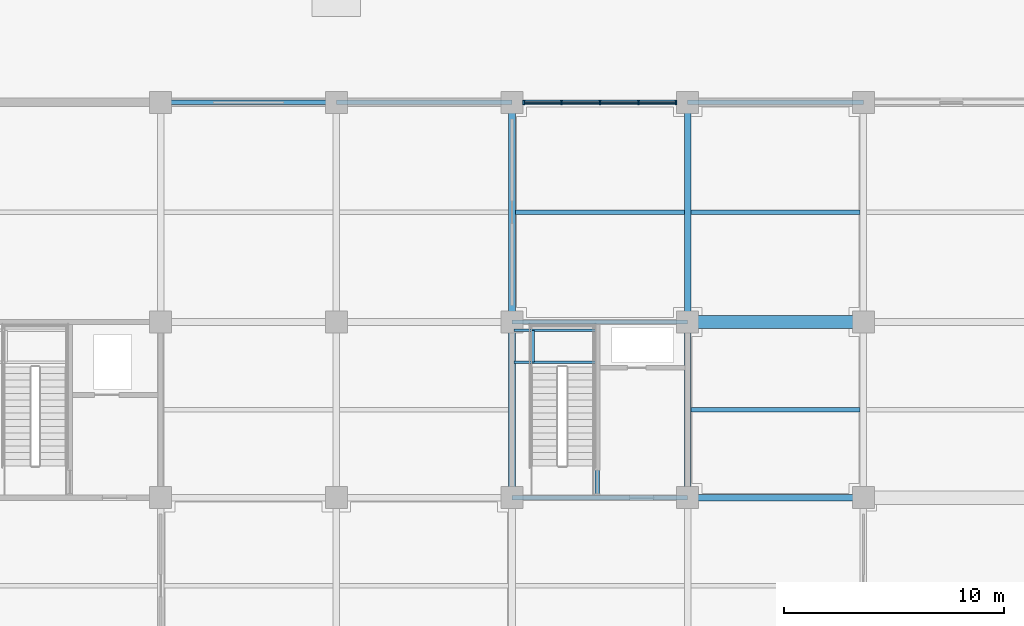
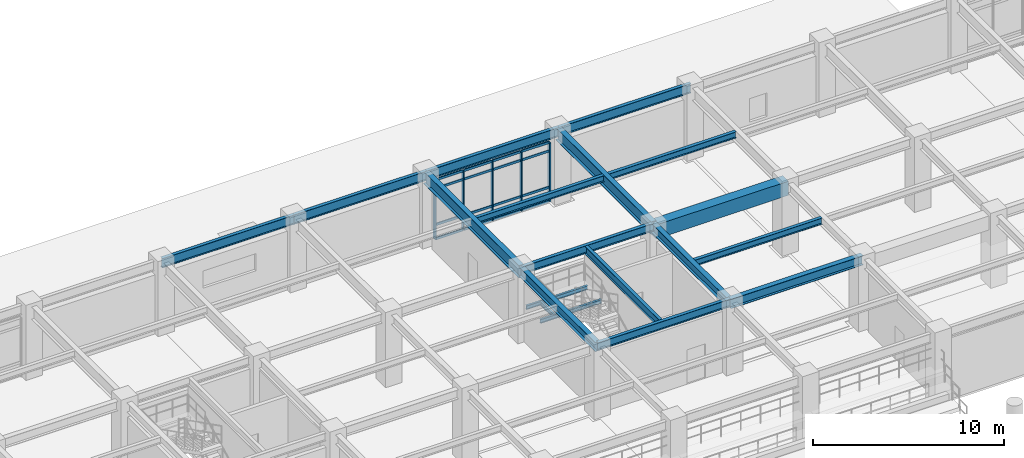
# One storey, part 47 of 117: 21 members, 19 beams, 1 element without a shape of its own.
"""IFC4 building model written with IfcOpenShell, lengths in metres."""

from ifc_helpers import new_model, si_unit, direction, frame, origin, origin_2d, place, context, subcontext, project, spatial, rectangle, i_section, extrude, material, layer, layer_set, material_profile, profile_set, type_object, element, aggregate, save


model = new_model("IFC4")

# Units and contexts
model_context = context("Model", 3, precision=1e-05, world=origin(), true_north=direction((0.0, 1.0)))
body_context = subcontext(model_context, "Body", "Model", "MODEL_VIEW")
ifc_project = project(units=[si_unit("LENGTHUNIT", "METRE"), si_unit("AREAUNIT", "SQUARE_METRE"), si_unit("VOLUMEUNIT", "CUBIC_METRE"), si_unit("PLANEANGLEUNIT", "RADIAN"), si_unit("MASSUNIT", "GRAM", prefix="KILO")], contexts=[model_context])

# Site, building, storey
site_placement = place(None, origin())
site = spatial("IfcSite", under=ifc_project, at=site_placement, CompositionType="ELEMENT")
building_placement = place(site_placement, origin())
building = spatial("IfcBuilding", under=site, at=building_placement, Name="Haebicheon Civic Stadium", CompositionType="ELEMENT")
storey_placement = place(building_placement, frame((0.0, 0.0, 4.800048828125)))
storey = spatial("IfcBuildingStorey", under=building, at=storey_placement, Name="L02", CompositionType="ELEMENT", Elevation=4.800048828125)

# Beams
ifc_material_1 = material(Name="Concrete C40/50", Category="concrete")
ifc_material_profile_1 = material_profile(ifc_material_1, rectangle(XDim=0.60009765625, YDim=0.89990234375, at=origin_2d()), Name="RC-BM-600x900")
ifc_profile_set_1 = profile_set([ifc_material_profile_1], Name="Concrete C40/50")
beam_type_1 = type_object("IfcBeamType", Name="BM-RC-600x900", PredefinedType="BEAM", material=ifc_profile_set_1)
beam_1_placement = place(storey_placement, frame((120.0, 168.0, 4.070068359375), z_axis=(1.0, 0.0, 0.0), x_axis=(0.0, 1.0, 0.0)))
element("IfcBeam", 1, at=beam_1_placement, inside=storey, type_object=beam_type_1, material=ifc_profile_set_1, Name="L02 beam X/16-17", PredefinedType="BEAM", context=body_context, shape_type="SweptSolid", body=[
    extrude(rectangle(XDim=0.60009765625, YDim=0.89990234375, at=origin_2d()), origin(), (0.0, 0.0, 1.0), 8.0),
])
ifc_material_2 = material(Name="Steel SM355 (S355)", Category="steel")
ifc_material_profile_2 = material_profile(ifc_material_2, i_section(OverallWidth=0.199951171875, OverallDepth=0.5, WebThickness=0.010009765625, FlangeThickness=0.01611328125, at=origin_2d()), Name="H-500x200x10x16")
ifc_profile_set_2 = profile_set([ifc_material_profile_2], Name="Steel SM355 (S355)")
beam_type_2 = type_object("IfcBeamType", Name="BM-ST-H500", PredefinedType="BEAM", material=ifc_profile_set_2)
for number, where, z_axis, x_axis, name in (
    (2, (112.0, 160.0, 4.27001953125), (1.0, 0.0, 0.0), (0.0, 1.0, 0.0), "L02 beam W/15-16"),
    (3, (112.0, 168.0, 4.27001953125), (1.0, 0.0, 0.0), (0.0, 1.0, 0.0), "L02 beam X/15-16"),
):
    element("IfcBeam", number, at=place(storey_placement, frame(where, z_axis=z_axis, x_axis=x_axis)), inside=storey, type_object=beam_type_2, material=ifc_profile_set_2, Name=name, PredefinedType="BEAM", context=body_context, shape_type="SweptSolid", body=[
        extrude(i_section(OverallWidth=0.199951171875, OverallDepth=0.5, WebThickness=0.010009765625, FlangeThickness=0.01611328125, at=origin_2d()), origin(), (0.0, 0.0, 1.0), 8.0),
    ])
beam_2_placement = place(storey_placement, frame((115.8798828125, 160.10009765625, 4.27001953125), z_axis=(0.0, 1.0, 0.0), x_axis=(-1.0, 0.0, 0.0)))
element("IfcBeam", 4, at=beam_2_placement, inside=storey, type_object=beam_type_2, material=ifc_profile_set_2, Name="L02 KC-09 core dividing wall support beam", PredefinedType="BEAM", context=body_context, shape_type="SweptSolid", body=[
    extrude(i_section(OverallWidth=0.199951171875, OverallDepth=0.5, WebThickness=0.010009765625, FlangeThickness=0.01611328125, at=origin_2d()), origin(), (0.0, 0.0, 1.0), 7.7998046875),
])
ifc_material_3 = material(Name="Steel SM355 (S355)", Category="steel")
ifc_material_profile_3 = material_profile(ifc_material_3, i_section(OverallWidth=0.300048828125, OverallDepth=0.60009765625, WebThickness=0.011962890625, FlangeThickness=0.02001953125, at=origin_2d()), Name="H-600x300x12x20")
ifc_profile_set_3 = profile_set([ifc_material_profile_3], Name="Steel SM355 (S355)")
beam_type_3 = type_object("IfcBeamType", Name="BM-ST-H600A", PredefinedType="BEAM", material=ifc_profile_set_3)
for number, where, z_axis, x_axis, name in (
    (5, (112.0, 160.0, 4.219970703125), (0.0, 1.0, 0.0), (-1.0, 0.0, 0.0), "L02 girder 15/W-X"),
    (6, (120.0, 160.0, 4.219970703125), (0.0, 1.0, 0.0), (-1.0, 0.0, 0.0), "L02 girder 16/W-X"),
    (7, (120.0, 160.0, 4.219970703125), (1.0, 0.0, 0.0), (0.0, 1.0, 0.0), "L02 beam W/16-17"),
):
    element("IfcBeam", number, at=place(storey_placement, frame(where, z_axis=z_axis, x_axis=x_axis)), inside=storey, type_object=beam_type_3, material=ifc_profile_set_3, Name=name, PredefinedType="BEAM", context=body_context, shape_type="SweptSolid", body=[
        extrude(i_section(OverallWidth=0.300048828125, OverallDepth=0.60009765625, WebThickness=0.011962890625, FlangeThickness=0.02001953125, at=origin_2d()), origin(), (0.0, 0.0, 1.0), 8.0),
    ])
ifc_material_4 = material(Name="Steel SM490", Category="steel")
ifc_material_profile_4 = material_profile(ifc_material_4, i_section(OverallWidth=0.300048828125, OverallDepth=0.800048828125, WebThickness=0.013916015625, FlangeThickness=0.02587890625, at=origin_2d()), Name="H-800x300x14x26")
ifc_profile_set_4 = profile_set([ifc_material_profile_4], Name="Steel SM490")
beam_type_4 = type_object("IfcBeamType", Name="BM-ST-H800", PredefinedType="BEAM", material=ifc_profile_set_4)
for number, where, z_axis, x_axis, name in (
    (8, (112.0, 168.0, 4.179931640625), (0.0, 1.0, 0.0), (-1.0, 0.0, 0.0), "L02 girder 15/X-Y"),
    (9, (120.0, 168.0, 4.179931640625), (0.0, 1.0, 0.0), (-1.0, 0.0, 0.0), "L02 girder 16/X-Y"),
):
    element("IfcBeam", number, at=place(storey_placement, frame(where, z_axis=z_axis, x_axis=x_axis)), inside=storey, type_object=beam_type_4, material=ifc_profile_set_4, Name=name, PredefinedType="BEAM", context=body_context, shape_type="SweptSolid", body=[
        extrude(i_section(OverallWidth=0.300048828125, OverallDepth=0.800048828125, WebThickness=0.013916015625, FlangeThickness=0.02587890625, at=origin_2d()), origin(), (0.0, 0.0, 1.0), 10.0),
    ])

# Curtain wall, members
ifc_material_5 = material(Name="Anodised aluminium and laminated glass", Category="aluminium")
ifc_layer = layer(ifc_material_5, 0.179931640625, Name="Anodised aluminium and laminated glass")
ifc_layer_set = layer_set([ifc_layer], Name="Anodised aluminium and laminated glass")
curtain_wall_type = type_object("IfcCurtainWallType", Name="CW-7000x3770", PredefinedType="NOTDEFINED", material=ifc_layer_set)
curtain_wall_placement = place(storey_placement, origin())
curtain_wall = element("IfcCurtainWall", 10, at=curtain_wall_placement, inside=storey, type_object=curtain_wall_type, material=ifc_layer_set, Name="L02 unitised curtain wall 048", PredefinedType="NOTDEFINED")
ifc_material_6 = material(Name="Anodised aluminium 6063-T6", Category="aluminium")
ifc_material_profile_5 = material_profile(ifc_material_6, rectangle(XDim=0.070068359375, YDim=0.199951171875, at=origin_2d()), Name="ALU-MULL-70x200")
ifc_profile_set_5 = profile_set([ifc_material_profile_5], Name="Anodised aluminium 6063-T6")
member_type_1 = type_object("IfcMemberType", Name="CWM-200x70", PredefinedType="MULLION", material=ifc_profile_set_5)
member_1_placement = place(storey_placement, frame((112.534912109375, 178.0, 0.0), z_axis=(0.0, 0.0, 1.0), x_axis=(1.0, 0.0, 0.0)))
member_1 = element("IfcMember", 11, at=member_1_placement, type_object=member_type_1, material=ifc_profile_set_5, Name="CW-L02-048 vertical mullion 1", PredefinedType="MULLION", context=body_context, shape_type="SweptSolid", body=[
    extrude(rectangle(XDim=0.070068359375, YDim=0.199951171875, at=origin_2d()), origin(), (0.0, 0.0, 1.0), 3.77001953125),
])
member_2_placement = place(storey_placement, frame((114.25, 178.0, 0.0), z_axis=(0.0, 0.0, 1.0), x_axis=(1.0, 0.0, 0.0)))
member_2 = element("IfcMember", 12, at=member_2_placement, type_object=member_type_1, material=ifc_profile_set_5, Name="CW-L02-048 vertical mullion 2", PredefinedType="MULLION", context=body_context, shape_type="SweptSolid", body=[
    extrude(rectangle(XDim=0.070068359375, YDim=0.199951171875, at=origin_2d()), origin(), (0.0, 0.0, 1.0), 3.77001953125),
])
member_3_placement = place(storey_placement, frame((116.0, 178.0, 0.0), z_axis=(0.0, 0.0, 1.0), x_axis=(1.0, 0.0, 0.0)))
member_3 = element("IfcMember", 13, at=member_3_placement, type_object=member_type_1, material=ifc_profile_set_5, Name="CW-L02-048 vertical mullion 3", PredefinedType="MULLION", context=body_context, shape_type="SweptSolid", body=[
    extrude(rectangle(XDim=0.070068359375, YDim=0.199951171875, at=origin_2d()), origin(), (0.0, 0.0, 1.0), 3.77001953125),
])
member_4_placement = place(storey_placement, frame((117.75, 178.0, 0.0), z_axis=(0.0, 0.0, 1.0), x_axis=(1.0, 0.0, 0.0)))
member_4 = element("IfcMember", 14, at=member_4_placement, type_object=member_type_1, material=ifc_profile_set_5, Name="CW-L02-048 vertical mullion 4", PredefinedType="MULLION", context=body_context, shape_type="SweptSolid", body=[
    extrude(rectangle(XDim=0.070068359375, YDim=0.199951171875, at=origin_2d()), origin(), (0.0, 0.0, 1.0), 3.77001953125),
])
member_5_placement = place(storey_placement, frame((119.465087890625, 178.0, 0.0), z_axis=(0.0, 0.0, 1.0), x_axis=(1.0, 0.0, 0.0)))
member_5 = element("IfcMember", 15, at=member_5_placement, type_object=member_type_1, material=ifc_profile_set_5, Name="CW-L02-048 vertical mullion 5", PredefinedType="MULLION", context=body_context, shape_type="SweptSolid", body=[
    extrude(rectangle(XDim=0.070068359375, YDim=0.199951171875, at=origin_2d()), origin(), (0.0, 0.0, 1.0), 3.77001953125),
])
ifc_material_7 = material(Name="Anodised aluminium 6063-T6", Category="aluminium")
ifc_material_profile_6 = material_profile(ifc_material_7, rectangle(XDim=0.070068359375, YDim=0.14990234375, at=origin_2d()), Name="ALU-TRAN-70x150")
ifc_profile_set_6 = profile_set([ifc_material_profile_6], Name="Anodised aluminium 6063-T6")
member_type_2 = type_object("IfcMemberType", Name="CWT-150x70", PredefinedType="NOTDEFINED", material=ifc_profile_set_6)
member_6_placement = place(storey_placement, frame((112.570068359375, 178.0, 0.0), z_axis=(1.0, 0.0, 0.0), x_axis=(0.0, 1.0, 0.0)))
member_6 = element("IfcMember", 16, at=member_6_placement, type_object=member_type_2, material=ifc_profile_set_6, Name="CW-L02-048 horizontal transom 1.1", ObjectType="TRANSOM", PredefinedType="USERDEFINED", context=body_context, shape_type="SweptSolid", body=[
    extrude(rectangle(XDim=0.070068359375, YDim=0.14990234375, at=origin_2d()), origin(), (0.0, 0.0, 1.0), 1.64501953125),
])
member_7_placement = place(storey_placement, frame((112.570068359375, 178.0, 0.89990234375), z_axis=(1.0, 0.0, 0.0), x_axis=(0.0, 1.0, 0.0)))
member_7 = element("IfcMember", 17, at=member_7_placement, type_object=member_type_2, material=ifc_profile_set_6, Name="CW-L02-048 horizontal transom 1.2", ObjectType="TRANSOM", PredefinedType="USERDEFINED", context=body_context, shape_type="SweptSolid", body=[
    extrude(rectangle(XDim=0.070068359375, YDim=0.14990234375, at=origin_2d()), origin(), (0.0, 0.0, 1.0), 1.64501953125),
])
member_8_placement = place(storey_placement, frame((112.570068359375, 178.0, 3.219970703125), z_axis=(1.0, 0.0, 0.0), x_axis=(0.0, 1.0, 0.0)))
member_8 = element("IfcMember", 18, at=member_8_placement, type_object=member_type_2, material=ifc_profile_set_6, Name="CW-L02-048 horizontal transom 1.3", ObjectType="TRANSOM", PredefinedType="USERDEFINED", context=body_context, shape_type="SweptSolid", body=[
    extrude(rectangle(XDim=0.070068359375, YDim=0.14990234375, at=origin_2d()), origin(), (0.0, 0.0, 1.0), 1.64501953125),
])
member_9_placement = place(storey_placement, frame((112.570068359375, 178.0, 3.77001953125), z_axis=(1.0, 0.0, 0.0), x_axis=(0.0, 1.0, 0.0)))
member_9 = element("IfcMember", 19, at=member_9_placement, type_object=member_type_2, material=ifc_profile_set_6, Name="CW-L02-048 horizontal transom 1.4", ObjectType="TRANSOM", PredefinedType="USERDEFINED", context=body_context, shape_type="SweptSolid", body=[
    extrude(rectangle(XDim=0.070068359375, YDim=0.14990234375, at=origin_2d()), origin(), (0.0, 0.0, 1.0), 1.64501953125),
])
member_10_placement = place(storey_placement, frame((114.284912109375, 178.0, 0.0), z_axis=(1.0, 0.0, 0.0), x_axis=(0.0, 1.0, 0.0)))
member_10 = element("IfcMember", 20, at=member_10_placement, type_object=member_type_2, material=ifc_profile_set_6, Name="CW-L02-048 horizontal transom 2.1", ObjectType="TRANSOM", PredefinedType="USERDEFINED", context=body_context, shape_type="SweptSolid", body=[
    extrude(rectangle(XDim=0.070068359375, YDim=0.14990234375, at=origin_2d()), origin(), (0.0, 0.0, 1.0), 1.68017578125),
])
member_11_placement = place(storey_placement, frame((114.284912109375, 178.0, 0.89990234375), z_axis=(1.0, 0.0, 0.0), x_axis=(0.0, 1.0, 0.0)))
member_11 = element("IfcMember", 21, at=member_11_placement, type_object=member_type_2, material=ifc_profile_set_6, Name="CW-L02-048 horizontal transom 2.2", ObjectType="TRANSOM", PredefinedType="USERDEFINED", context=body_context, shape_type="SweptSolid", body=[
    extrude(rectangle(XDim=0.070068359375, YDim=0.14990234375, at=origin_2d()), origin(), (0.0, 0.0, 1.0), 1.68017578125),
])
member_12_placement = place(storey_placement, frame((114.284912109375, 178.0, 3.219970703125), z_axis=(1.0, 0.0, 0.0), x_axis=(0.0, 1.0, 0.0)))
member_12 = element("IfcMember", 22, at=member_12_placement, type_object=member_type_2, material=ifc_profile_set_6, Name="CW-L02-048 horizontal transom 2.3", ObjectType="TRANSOM", PredefinedType="USERDEFINED", context=body_context, shape_type="SweptSolid", body=[
    extrude(rectangle(XDim=0.070068359375, YDim=0.14990234375, at=origin_2d()), origin(), (0.0, 0.0, 1.0), 1.68017578125),
])
member_13_placement = place(storey_placement, frame((114.284912109375, 178.0, 3.77001953125), z_axis=(1.0, 0.0, 0.0), x_axis=(0.0, 1.0, 0.0)))
member_13 = element("IfcMember", 23, at=member_13_placement, type_object=member_type_2, material=ifc_profile_set_6, Name="CW-L02-048 horizontal transom 2.4", ObjectType="TRANSOM", PredefinedType="USERDEFINED", context=body_context, shape_type="SweptSolid", body=[
    extrude(rectangle(XDim=0.070068359375, YDim=0.14990234375, at=origin_2d()), origin(), (0.0, 0.0, 1.0), 1.68017578125),
])
member_14_placement = place(storey_placement, frame((116.034912109375, 178.0, 0.0), z_axis=(1.0, 0.0, 0.0), x_axis=(0.0, 1.0, 0.0)))
member_14 = element("IfcMember", 24, at=member_14_placement, type_object=member_type_2, material=ifc_profile_set_6, Name="CW-L02-048 horizontal transom 3.1", ObjectType="TRANSOM", PredefinedType="USERDEFINED", context=body_context, shape_type="SweptSolid", body=[
    extrude(rectangle(XDim=0.070068359375, YDim=0.14990234375, at=origin_2d()), origin(), (0.0, 0.0, 1.0), 1.68017578125),
])
member_15_placement = place(storey_placement, frame((116.034912109375, 178.0, 0.89990234375), z_axis=(1.0, 0.0, 0.0), x_axis=(0.0, 1.0, 0.0)))
member_15 = element("IfcMember", 25, at=member_15_placement, type_object=member_type_2, material=ifc_profile_set_6, Name="CW-L02-048 horizontal transom 3.2", ObjectType="TRANSOM", PredefinedType="USERDEFINED", context=body_context, shape_type="SweptSolid", body=[
    extrude(rectangle(XDim=0.070068359375, YDim=0.14990234375, at=origin_2d()), origin(), (0.0, 0.0, 1.0), 1.68017578125),
])
member_16_placement = place(storey_placement, frame((116.034912109375, 178.0, 3.219970703125), z_axis=(1.0, 0.0, 0.0), x_axis=(0.0, 1.0, 0.0)))
member_16 = element("IfcMember", 26, at=member_16_placement, type_object=member_type_2, material=ifc_profile_set_6, Name="CW-L02-048 horizontal transom 3.3", ObjectType="TRANSOM", PredefinedType="USERDEFINED", context=body_context, shape_type="SweptSolid", body=[
    extrude(rectangle(XDim=0.070068359375, YDim=0.14990234375, at=origin_2d()), origin(), (0.0, 0.0, 1.0), 1.68017578125),
])
member_17_placement = place(storey_placement, frame((116.034912109375, 178.0, 3.77001953125), z_axis=(1.0, 0.0, 0.0), x_axis=(0.0, 1.0, 0.0)))
member_17 = element("IfcMember", 27, at=member_17_placement, type_object=member_type_2, material=ifc_profile_set_6, Name="CW-L02-048 horizontal transom 3.4", ObjectType="TRANSOM", PredefinedType="USERDEFINED", context=body_context, shape_type="SweptSolid", body=[
    extrude(rectangle(XDim=0.070068359375, YDim=0.14990234375, at=origin_2d()), origin(), (0.0, 0.0, 1.0), 1.68017578125),
])
member_18_placement = place(storey_placement, frame((117.784912109375, 178.0, 0.0), z_axis=(1.0, 0.0, 0.0), x_axis=(0.0, 1.0, 0.0)))
member_18 = element("IfcMember", 28, at=member_18_placement, type_object=member_type_2, material=ifc_profile_set_6, Name="CW-L02-048 horizontal transom 4.1", ObjectType="TRANSOM", PredefinedType="USERDEFINED", context=body_context, shape_type="SweptSolid", body=[
    extrude(rectangle(XDim=0.070068359375, YDim=0.14990234375, at=origin_2d()), origin(), (0.0, 0.0, 1.0), 1.64501953125),
])
member_19_placement = place(storey_placement, frame((117.784912109375, 178.0, 0.89990234375), z_axis=(1.0, 0.0, 0.0), x_axis=(0.0, 1.0, 0.0)))
member_19 = element("IfcMember", 29, at=member_19_placement, type_object=member_type_2, material=ifc_profile_set_6, Name="CW-L02-048 horizontal transom 4.2", ObjectType="TRANSOM", PredefinedType="USERDEFINED", context=body_context, shape_type="SweptSolid", body=[
    extrude(rectangle(XDim=0.070068359375, YDim=0.14990234375, at=origin_2d()), origin(), (0.0, 0.0, 1.0), 1.64501953125),
])
member_20_placement = place(storey_placement, frame((117.784912109375, 178.0, 3.219970703125), z_axis=(1.0, 0.0, 0.0), x_axis=(0.0, 1.0, 0.0)))
member_20 = element("IfcMember", 30, at=member_20_placement, type_object=member_type_2, material=ifc_profile_set_6, Name="CW-L02-048 horizontal transom 4.3", ObjectType="TRANSOM", PredefinedType="USERDEFINED", context=body_context, shape_type="SweptSolid", body=[
    extrude(rectangle(XDim=0.070068359375, YDim=0.14990234375, at=origin_2d()), origin(), (0.0, 0.0, 1.0), 1.64501953125),
])
member_21_placement = place(storey_placement, frame((117.784912109375, 178.0, 3.77001953125), z_axis=(1.0, 0.0, 0.0), x_axis=(0.0, 1.0, 0.0)))
member_21 = element("IfcMember", 31, at=member_21_placement, type_object=member_type_2, material=ifc_profile_set_6, Name="CW-L02-048 horizontal transom 4.4", ObjectType="TRANSOM", PredefinedType="USERDEFINED", context=body_context, shape_type="SweptSolid", body=[
    extrude(rectangle(XDim=0.070068359375, YDim=0.14990234375, at=origin_2d()), origin(), (0.0, 0.0, 1.0), 1.64501953125),
])
aggregate(curtain_wall, [member_1, member_2, member_3, member_4, member_5, member_6, member_7, member_8, member_9, member_10, member_11, member_12, member_13, member_14, member_15, member_16, member_17, member_18, member_19, member_20, member_21])

# Beams
ifc_material_8 = material(Name="Steel SM355 (S355)", Category="steel")
ifc_material_profile_7 = material_profile(ifc_material_8, i_section(OverallWidth=0.125, OverallDepth=0.25, WebThickness=0.006103515625, FlangeThickness=0.009033203125, at=origin_2d()), Name="H-250x125x6x9")
ifc_profile_set_7 = profile_set([ifc_material_profile_7], Name="Steel SM355 (S355)")
beam_type_5 = type_object("IfcBeamType", Name="JST-ST-H250", PredefinedType="JOIST", material=ifc_profile_set_7)
for number, where, z_axis, x_axis, name in (
    (32, (112.080078125, 166.169921875, 2.072021484375), (1.0, 0.0, 0.0), (0.0, 1.0, 0.0), "KC-09 L02 stair half-landing front trimmer beam"),
    (33, (112.080078125, 167.6201171875, 2.072021484375), (1.0, 0.0, 0.0), (0.0, 1.0, 0.0), "KC-09 L02 stair half-landing rear trimmer beam"),
):
    element("IfcBeam", number, at=place(storey_placement, frame(where, z_axis=z_axis, x_axis=x_axis)), inside=storey, type_object=beam_type_5, material=ifc_profile_set_7, Name=name, PredefinedType="JOIST", context=body_context, shape_type="SweptSolid", body=[
        extrude(i_section(OverallWidth=0.125, OverallDepth=0.25, WebThickness=0.006103515625, FlangeThickness=0.009033203125, at=origin_2d()), origin(), (0.0, 0.0, 1.0), 3.719970703125),
    ])
beam_3_placement = place(storey_placement, frame((112.9599609375, 166.169921875, 2.072021484375), z_axis=(0.0, 1.0, 0.0), x_axis=(-1.0, 0.0, 0.0)))
element("IfcBeam", 34, at=beam_3_placement, inside=storey, type_object=beam_type_5, material=ifc_profile_set_7, Name="KC-09 L02 stair half-landing transverse tie beam", PredefinedType="JOIST", context=body_context, shape_type="SweptSolid", body=[
    extrude(i_section(OverallWidth=0.125, OverallDepth=0.25, WebThickness=0.006103515625, FlangeThickness=0.009033203125, at=origin_2d()), origin(), (0.0, 0.0, 1.0), 1.4501953125),
])
ifc_material_9 = material(Name="Steel SM355 (S355)", Category="steel")
ifc_material_profile_8 = material_profile(ifc_material_9, i_section(OverallWidth=0.199951171875, OverallDepth=0.39990234375, WebThickness=0.008056640625, FlangeThickness=0.012939453125, at=origin_2d()), Name="H-400x200x8x13")
ifc_profile_set_8 = profile_set([ifc_material_profile_8], Name="Steel SM355 (S355)")
beam_type_6 = type_object("IfcBeamType", Name="JST-ST-H400", PredefinedType="JOIST", material=ifc_profile_set_8)
for number, where, z_axis, x_axis, name in (
    (35, (112.14990234375, 173.0, 4.3798828125), (1.0, 0.0, 0.0), (0.0, 1.0, 0.0), "L02 secondary joist 14-21"),
    (36, (120.14990234375, 164.0, 4.320068359375), (1.0, 0.0, 0.0), (0.0, 1.0, 0.0), "L02 secondary joist 15-20"),
    (37, (120.14990234375, 173.0, 4.3798828125), (1.0, 0.0, 0.0), (0.0, 1.0, 0.0), "L02 secondary joist 15-21"),
):
    element("IfcBeam", number, at=place(storey_placement, frame(where, z_axis=z_axis, x_axis=x_axis)), inside=storey, type_object=beam_type_6, material=ifc_profile_set_8, Name=name, PredefinedType="JOIST", context=body_context, shape_type="SweptSolid", body=[
        extrude(i_section(OverallWidth=0.199951171875, OverallDepth=0.39990234375, WebThickness=0.008056640625, FlangeThickness=0.012939453125, at=origin_2d()), origin(), (0.0, 0.0, 1.0), 7.7001953125),
    ])
ifc_material_10 = material(Name="Steel SM355 (S355)", Category="steel")
ifc_material_profile_9 = material_profile(ifc_material_10, i_section(OverallWidth=0.199951171875, OverallDepth=0.60009765625, WebThickness=0.010986328125, FlangeThickness=0.01708984375, at=origin_2d()), Name="H-600x200x11x17")
ifc_profile_set_9 = profile_set([ifc_material_profile_9], Name="Steel SM355 (S355)")
beam_type_7 = type_object("IfcBeamType", Name="SPD-ST-H600B", PredefinedType="SPANDREL", material=ifc_profile_set_9)
for number, where, z_axis, x_axis, name in (
    (38, (96.0, 178.0, 4.280029296875), (1.0, 0.0, 0.0), (0.0, 1.0, 0.0), "L02 beam Y/13-14"),
    (39, (104.0, 178.0, 4.280029296875), (1.0, 0.0, 0.0), (0.0, 1.0, 0.0), "L02 beam Y/14-15"),
    (40, (112.0, 178.0, 4.280029296875), (1.0, 0.0, 0.0), (0.0, 1.0, 0.0), "L02 beam Y/15-16"),
    (41, (120.0, 178.0, 4.280029296875), (1.0, 0.0, 0.0), (0.0, 1.0, 0.0), "L02 beam Y/16-17"),
):
    element("IfcBeam", number, at=place(storey_placement, frame(where, z_axis=z_axis, x_axis=x_axis)), inside=storey, type_object=beam_type_7, material=ifc_profile_set_9, Name=name, PredefinedType="SPANDREL", context=body_context, shape_type="SweptSolid", body=[
        extrude(i_section(OverallWidth=0.199951171875, OverallDepth=0.60009765625, WebThickness=0.010986328125, FlangeThickness=0.01708984375, at=origin_2d()), origin(), (0.0, 0.0, 1.0), 8.0),
    ])

save(model, "model.ifc")
